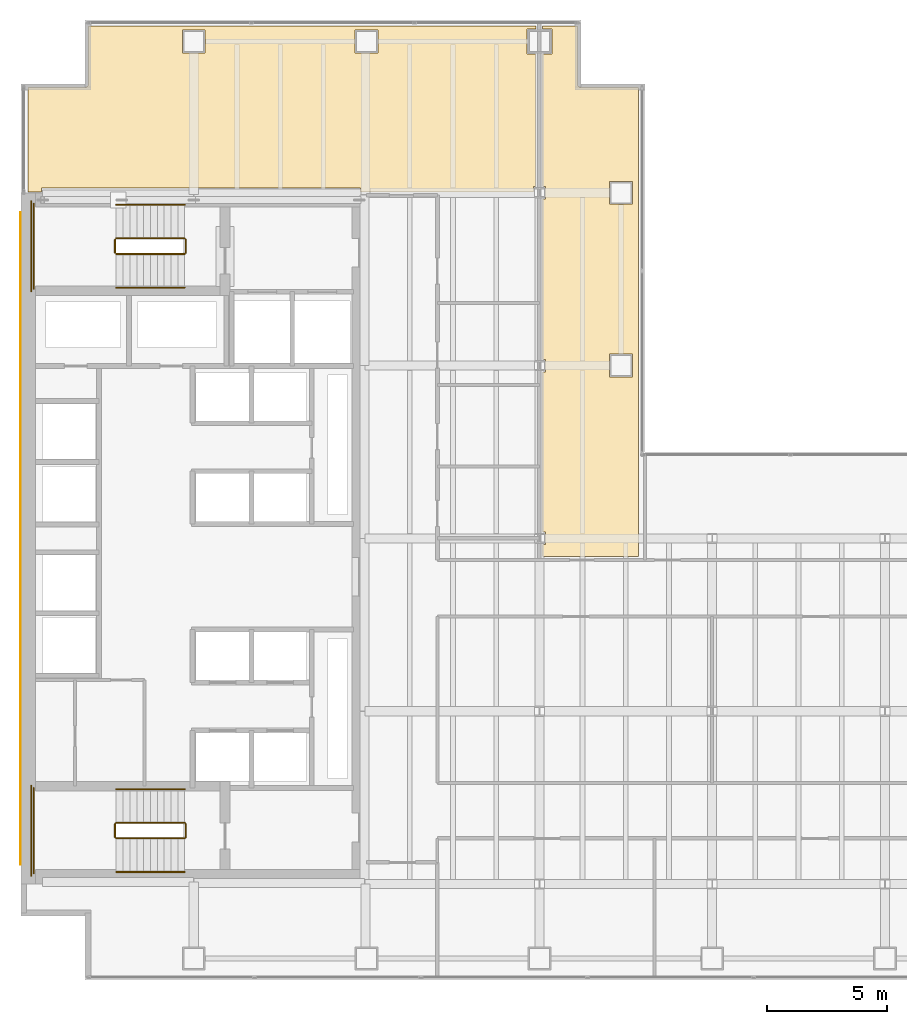
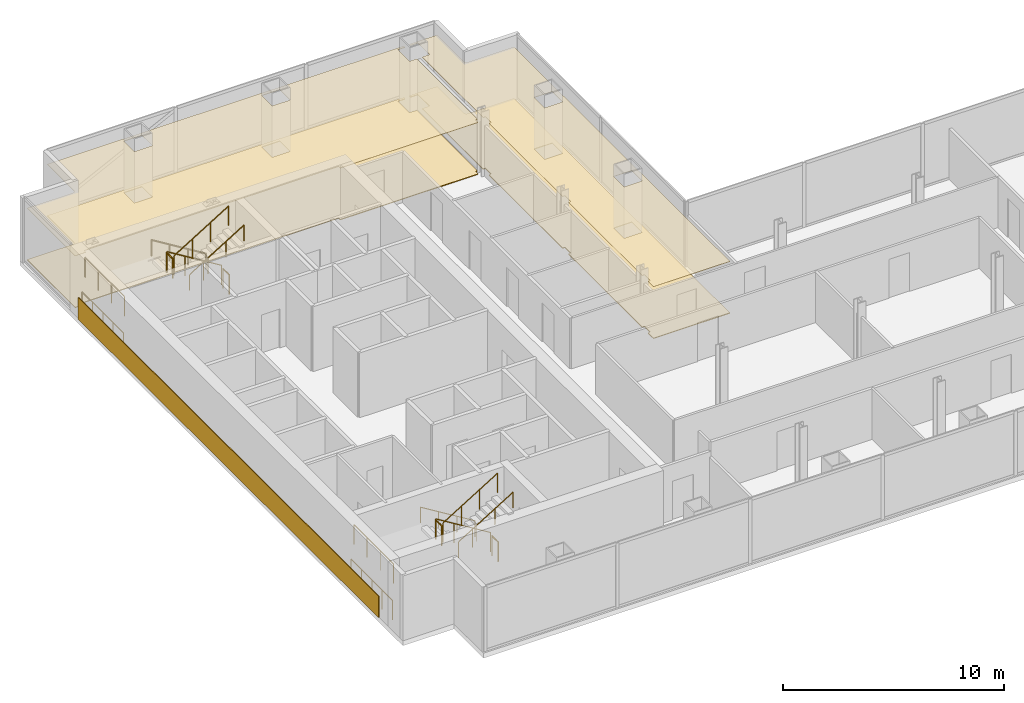
# One storey, part 23 of 23: 16 railings, 5 coverings.
"""IFC4 building model written with IfcOpenShell, lengths in metres."""

import ifcopenshell
import ifcopenshell.guid

model = None  # the IFC model being written
_history = None  # IfcOwnerHistory: only IFC2X3 demands one
_inside = {}  # id of a spatial element -> (the spatial element, [elements in it])
_under = {}  # id of a project, library or spatial element -> (it, [spatial elements below it])
_declared = {}  # id of a project -> (the project, [libraries it declares])
_typed = {}  # id of a type object -> (the type object, [elements of that type])
_made_of = {}  # id of a material, layer set ... -> (it, [elements and type objects made of it])


def new_model(schema):
    """Start an empty IFC model of exactly this schema.

    Asked for "IFC4X3", IfcOpenShell would pick the latest addendum, in which some entities
    have other attributes; the version numbers below select the first issue.
    IFC2X3 requires an IfcOwnerHistory on every rooted entity: one is made here for all.
    """
    global model, _history
    if schema == "IFC4X3":
        model = ifcopenshell.file(schema_version=(4, 3, 0, 0))
    else:
        model = ifcopenshell.file(schema=schema)
    _inside.clear()
    _under.clear()
    _declared.clear()
    _typed.clear()
    _made_of.clear()
    _history = None
    if model.schema == "IFC2X3":
        org = make("IfcOrganization", Name="unknown")
        user = make(
            "IfcPersonAndOrganization",
            ThePerson=make("IfcPerson", FamilyName="unknown"),
            TheOrganization=org,
        )
        app = make(
            "IfcApplication",
            ApplicationDeveloper=org,
            Version="unknown",
            ApplicationFullName="unknown",
            ApplicationIdentifier="unknown",
        )
        _history = make(
            "IfcOwnerHistory",
            OwningUser=user,
            OwningApplication=app,
            ChangeAction="ADDED",
            CreationDate=0,
        )
    return model


def make(cls, **values):
    """One entity of the class cls with the attributes given. An attribute that is None is left unset."""
    return model.create_entity(
        cls, **{name: value for name, value in values.items() if value is not None}
    )


def rooted(cls, **values):
    """An entity with a GlobalId (a new one), such as an element, a storey or a relation."""
    return make(cls, GlobalId=ifcopenshell.guid.new(), OwnerHistory=_history, **values)


def si_unit(unit_type, name, prefix=None):
    """IfcSIUnit, for example si_unit("LENGTHUNIT", "METRE", prefix="MILLI")."""
    return make("IfcSIUnit", UnitType=unit_type, Prefix=prefix, Name=name)


def assignment(units):
    """IfcUnitAssignment: the units of a project."""
    return None if units is None else make("IfcUnitAssignment", Units=units)


def point(xyz):
    """IfcCartesianPoint."""
    return None if xyz is None else make("IfcCartesianPoint", Coordinates=xyz)


def direction(xyz):
    """IfcDirection."""
    return None if xyz is None else make("IfcDirection", DirectionRatios=xyz)


def frame(location, z_axis=None, x_axis=None):
    """IfcAxis2Placement3D, a coordinate frame: its origin and axes. An axis left out is left unset."""
    return make(
        "IfcAxis2Placement3D",
        Location=point(location),
        Axis=direction(z_axis),
        RefDirection=direction(x_axis),
    )


def frame_2d(location, x_axis=None):
    """IfcAxis2Placement2D, a coordinate frame in the plane: its origin and x axis."""
    return make(
        "IfcAxis2Placement2D", Location=point(location), RefDirection=direction(x_axis)
    )


def origin():
    """The frame at (0, 0, 0) with its axes left unset."""
    return frame((0.0, 0.0, 0.0))


def origin_2d():
    """The frame at (0, 0) in the plane with its x axis left unset."""
    return frame_2d((0.0, 0.0))


def place(relative_to, where):
    """IfcLocalPlacement: puts the frame where relative to a parent placement (None: the world)."""
    return make(
        "IfcLocalPlacement", PlacementRelTo=relative_to, RelativePlacement=where
    )


def context(
    kind, dimensions, precision=None, world=None, true_north=None, identifier=None
):
    """IfcGeometricRepresentationContext, for example the 3D "Model" context."""
    return make(
        "IfcGeometricRepresentationContext",
        ContextIdentifier=identifier,
        ContextType=kind,
        CoordinateSpaceDimension=dimensions,
        Precision=precision,
        WorldCoordinateSystem=world,
        TrueNorth=true_north,
    )


def subcontext(parent, identifier, kind, view, scale=None):
    """IfcGeometricRepresentationSubContext, for example "Body" below "Model"."""
    return make(
        "IfcGeometricRepresentationSubContext",
        ContextIdentifier=identifier,
        ContextType=kind,
        ParentContext=parent,
        TargetScale=scale,
        TargetView=view,
    )


def project(units=None, contexts=None):
    """IfcProject with its units and contexts."""
    return rooted(
        "IfcProject",
        Name="project",
        RepresentationContexts=contexts,
        UnitsInContext=assignment(units),
    )


def spatial(cls, under=None, at=None, **own):
    """A site, building, storey or space (cls), placed at a placement, below another one or the project."""
    s = rooted(cls, ObjectPlacement=at, **own)
    if under is not None:
        _under.setdefault(under.id(), (under, []))[1].append(s)
    return s


def polyline(points):
    """IfcPolyline through the points."""
    return make("IfcPolyline", Points=[point(p) for p in points])


def profile(cls, at=None, kind="AREA", **sizes):
    """A parametric profile (cls). Its sizes go by their IFC names, for example OverallWidth=200.0."""
    return make(cls, ProfileType=kind, Position=at, **sizes)


def circle(**sizes):
    """IfcCircleProfileDef."""
    return profile("IfcCircleProfileDef", **sizes)


def outline(outer, holes=None, kind="AREA"):
    """IfcArbitraryClosedProfileDef: a profile drawn as a closed curve; with holes, ...WithVoids."""
    if holes is None:
        return make("IfcArbitraryClosedProfileDef", ProfileType=kind, OuterCurve=outer)
    return make(
        "IfcArbitraryProfileDefWithVoids",
        ProfileType=kind,
        OuterCurve=outer,
        InnerCurves=holes,
    )


def extrude(swept, where, along, depth):
    """IfcExtrudedAreaSolid: the profile swept, set in the frame where, extruded along a direction by depth."""
    return make(
        "IfcExtrudedAreaSolid",
        SweptArea=swept,
        Position=where,
        ExtrudedDirection=direction(along),
        Depth=depth,
    )


def shape(context_of_items, identifier, shape_type, items):
    """IfcShapeRepresentation: the items that make up one representation, for example the "Body"."""
    return make(
        "IfcShapeRepresentation",
        ContextOfItems=context_of_items,
        RepresentationIdentifier=identifier,
        RepresentationType=shape_type,
        Items=items,
    )


def material(Name=None, Category=None):
    """IfcMaterial."""
    return make("IfcMaterial", Name=Name, Category=Category)


def layer(
    of_material, thickness, ventilated=None, Name=None, Category=None, Priority=None
):
    """IfcMaterialLayer: one layer of a wall or slab, of a material (None: an air gap)."""
    return make(
        "IfcMaterialLayer",
        Material=of_material,
        LayerThickness=thickness,
        IsVentilated=ventilated,
        Name=Name,
        Category=Category,
        Priority=Priority,
    )


def layer_set(layers, Name=None):
    """IfcMaterialLayerSet."""
    return make("IfcMaterialLayerSet", MaterialLayers=layers, LayerSetName=Name)


def made_of(thing, what):
    """Note that an element or type object is made of a material, layer set ...; save() writes the relation."""
    if what is not None:
        _made_of.setdefault(what.id(), (what, []))[1].append(thing)
    return thing


def type_object(cls, material=None, **own):
    """A type object (cls), such as IfcWallType, which elements share."""
    return made_of(rooted(cls, **own), material)


def element(
    cls,
    number,
    at=None,
    inside=None,
    cuts=None,
    type_object=None,
    material=None,
    context=None,
    identifier="Body",
    shape_type=None,
    held_by="IfcProductDefinitionShape",
    body=None,
    shapes=None,
    **own,
):
    """One element of the class cls, such as IfcWall. Its Tag is "e" and its number.

    at: its placement. inside: the storey or other place that contains it. cuts: it is an
    opening in that element (IfcRelVoidsElement). A single representation is given by context,
    identifier, shape_type and body (its items); several are given by shapes. held_by: the class
    of the entity that holds the representations. save() writes the other relations.
    """
    e = rooted(cls, Tag="e%d" % number, ObjectPlacement=at, **own)
    if body is not None:
        shapes = [shape(context, identifier, shape_type, body)]
    if shapes is not None:
        e.Representation = make(held_by, Representations=shapes)
    if inside is not None:
        _inside.setdefault(inside.id(), (inside, []))[1].append(e)
    if cuts is not None:
        rooted(
            "IfcRelVoidsElement", RelatingBuildingElement=cuts, RelatedOpeningElement=e
        )
    if type_object is not None:
        _typed.setdefault(type_object.id(), (type_object, []))[1].append(e)
    return made_of(e, material)


def aggregate(whole, parts):
    """IfcRelAggregates: a whole, such as a stair, and the parts it consists of."""
    return rooted("IfcRelAggregates", RelatingObject=whole, RelatedObjects=parts)


def save(model, path):
    """Write the relations noted so far, then the file.

    IfcRelAggregates (storeys below a building ...), IfcRelContainedInSpatialStructure (elements
    in a storey), IfcRelDefinesByType, IfcRelAssociatesMaterial and IfcRelDeclares: one each for
    every whole, place, type object, material and project.
    """
    for whole, parts in _under.values():
        aggregate(whole, parts)
    for where, things in _inside.values():
        rooted(
            "IfcRelContainedInSpatialStructure",
            RelatedElements=things,
            RelatingStructure=where,
        )
    for kind, things in _typed.values():
        rooted("IfcRelDefinesByType", RelatedObjects=things, RelatingType=kind)
    for what, things in _made_of.values():
        rooted("IfcRelAssociatesMaterial", RelatedObjects=things, RelatingMaterial=what)
    for by, libraries in _declared.values():
        rooted("IfcRelDeclares", RelatingContext=by, RelatedDefinitions=libraries)
    model.write(path)


model = new_model("IFC4")

# Units and contexts
model_context = context("Model", 3, precision=1e-05, world=origin(), true_north=direction((0.0, 1.0)))
body_context = subcontext(model_context, "Body", "Model", "MODEL_VIEW")
ifc_project = project(units=[si_unit("LENGTHUNIT", "METRE"), si_unit("AREAUNIT", "SQUARE_METRE"), si_unit("VOLUMEUNIT", "CUBIC_METRE"), si_unit("PLANEANGLEUNIT", "RADIAN"), si_unit("MASSUNIT", "GRAM", prefix="KILO")], contexts=[model_context])

# Site, building, storey
site_placement = place(None, origin())
site = spatial("IfcSite", under=ifc_project, at=site_placement, CompositionType="ELEMENT")
building_placement = place(site_placement, origin())
building = spatial("IfcBuilding", under=site, at=building_placement, Name="Cobrela Telecom Tower", CompositionType="ELEMENT")
storey_placement = place(building_placement, frame((0.0, 0.0, 102.199951171875)))
storey = spatial("IfcBuildingStorey", under=building, at=storey_placement, Name="L25", CompositionType="ELEMENT", Elevation=102.199951171875)

# Coverings
ifc_material_1 = material(Name="Mineral Fibre Acoustic Ceiling Tile")
ifc_layer_1 = layer(ifc_material_1, 0.02490234375)
ifc_layer_set_1 = layer_set([ifc_layer_1], Name="Mineral Fibre Acoustic Ceiling Tile")
covering_type_1 = type_object("IfcCoveringType", Name="COV-CEIL-ACT", PredefinedType="CEILING", material=ifc_layer_set_1)
covering_1_placement = place(storey_placement, frame((0.0, 0.0, 2.860107421875)))
element("IfcCovering", 1, at=covering_1_placement, inside=storey, type_object=covering_type_1, Name="L25 Team Coffee Pantry 4 Suspended Acoustic Ceiling", PredefinedType="CEILING", context=body_context, shape_type="SweptSolid", body=[
    extrude(outline(polyline([(21.074951171875, 41.77490234375), (21.4599609375, 41.77490234375), (21.4599609375, 36.261962890625), (21.345458984375, 36.261962890625), (21.345458984375, 36.0400390625), (14.139892578125, 36.0400390625), (14.139892578125, 36.18994140625), (0.860107421875, 36.18994140625), (0.860107421875, 36.0400390625), (0.2900390625, 36.0400390625), (0.2900390625, 40.389892578125), (2.6708984375, 40.389892578125), (2.68359375, 40.390625), (2.697265625, 40.392578125), (2.710693359375, 40.39599609375), (2.7236328125, 40.400634765625), (2.736083984375, 40.406494140625), (2.747802734375, 40.41357421875), (2.7587890625, 40.421630859375), (2.76904296875, 40.430908203125), (2.7783203125, 40.441162109375), (2.786376953125, 40.4521484375), (2.79345703125, 40.464111328125), (2.79931640625, 40.476318359375), (2.803955078125, 40.489501953125), (2.807373046875, 40.502685546875), (2.809326171875, 40.516357421875), (2.81005859375, 40.529052734375), (2.81005859375, 42.93994140625), (21.4599609375, 42.93994140625), (21.4599609375, 42.824951171875), (21.074951171875, 42.824951171875), (21.074951171875, 41.77490234375)]), holes=[polyline([(7.675048828125, 41.824951171875), (7.675048828125, 42.77490234375), (6.72509765625, 42.77490234375), (6.72509765625, 41.824951171875), (7.675048828125, 41.824951171875)]), polyline([(14.875, 41.824951171875), (14.875, 42.77490234375), (13.925048828125, 42.77490234375), (13.925048828125, 41.824951171875), (14.875, 41.824951171875)])]), origin(), (0.0, 0.0, 1.0), 0.02490234375),
])
covering_2_placement = place(storey_placement, frame((0.0, 0.0, 2.860107421875)))
element("IfcCovering", 2, at=covering_2_placement, inside=storey, type_object=covering_type_1, Name="L25 Engineering Conference Room 3 Suspended Acoustic Ceiling", PredefinedType="CEILING", context=body_context, shape_type="SweptSolid", body=[
    extrude(outline(polyline([(21.8544921875, 21.337890625), (21.8544921875, 21.862060546875), (21.739990234375, 21.862060546875), (21.739990234375, 28.5380859375), (21.8544921875, 28.5380859375), (21.8544921875, 29.06201171875), (21.739990234375, 29.06201171875), (21.739990234375, 35.738037109375), (21.8544921875, 35.738037109375), (21.8544921875, 36.261962890625), (21.739990234375, 36.261962890625), (21.739990234375, 41.77490234375), (22.125, 41.77490234375), (22.125, 42.824951171875), (21.739990234375, 42.824951171875), (21.739990234375, 42.93994140625), (23.18994140625, 42.93994140625), (23.18994140625, 40.529052734375), (23.190673828125, 40.516357421875), (23.192626953125, 40.502685546875), (23.196044921875, 40.489501953125), (23.20068359375, 40.476318359375), (23.20654296875, 40.464111328125), (23.213623046875, 40.4521484375), (23.2216796875, 40.441162109375), (23.23095703125, 40.430908203125), (23.2412109375, 40.421630859375), (23.252197265625, 40.41357421875), (23.263916015625, 40.406494140625), (23.2763671875, 40.400634765625), (23.289306640625, 40.39599609375), (23.302734375, 40.392578125), (23.31640625, 40.390625), (23.3291015625, 40.389892578125), (25.739990234375, 40.389892578125), (25.739990234375, 20.840087890625), (21.739990234375, 20.840087890625), (21.739990234375, 21.337890625), (21.8544921875, 21.337890625)]), holes=[polyline([(25.47509765625, 28.324951171875), (25.47509765625, 29.27490234375), (24.52490234375, 29.27490234375), (24.52490234375, 28.324951171875), (25.47509765625, 28.324951171875)]), polyline([(25.47509765625, 35.52490234375), (25.47509765625, 36.47509765625), (24.52490234375, 36.47509765625), (24.52490234375, 35.52490234375), (25.47509765625, 35.52490234375)])]), origin(), (0.0, 0.0, 1.0), 0.02490234375),
])
ifc_material_2 = material(Name="Bogota Terracotta Architectural Stone", Category="masonry")
ifc_layer_2 = layer(ifc_material_2, 0.0400390625)
ifc_layer_set_2 = layer_set([ifc_layer_2], Name="Bogota Terracotta Architectural Stone")
covering_type_2 = type_object("IfcCoveringType", Name="COV-CLAD-TERRA", PredefinedType="CLADDING", material=ifc_layer_set_2)
covering_3_placement = place(storey_placement, origin())
element("IfcCovering", 3, at=covering_3_placement, inside=storey, type_object=covering_type_2, Name="L25 West Core Terracotta Spandrel Cladding Band", PredefinedType="CLADDING", context=body_context, shape_type="SweptSolid", body=[
    extrude(outline(polyline([(-0.0400390625, 8.0), (0.0, 8.0), (0.0, 35.199951171875), (-0.0400390625, 35.199951171875), (-0.0400390625, 8.0)])), origin(), (0.0, 0.0, 1.0), 1.199951171875),
])
ifc_material_3 = material(Name="Honed Colombian Basalt Stone", Category="masonry")
ifc_layer_3 = layer(ifc_material_3, 0.0400390625)
ifc_layer_set_3 = layer_set([ifc_layer_3], Name="Honed Colombian Basalt Stone")
covering_type_3 = type_object("IfcCoveringType", Name="COV-FLR-STONE", PredefinedType="FLOORING", material=ifc_layer_set_3)
covering_4_placement = place(storey_placement, origin())
element("IfcCovering", 4, at=covering_4_placement, inside=storey, type_object=covering_type_3, Name="L25 Team Coffee Pantry 4 Raised Technical Flooring", PredefinedType="FLOORING", context=body_context, shape_type="SweptSolid", body=[
    extrude(outline(polyline([(21.074951171875, 41.77490234375), (21.4599609375, 41.77490234375), (21.4599609375, 36.261962890625), (21.345458984375, 36.261962890625), (21.345458984375, 36.0400390625), (14.139892578125, 36.0400390625), (14.139892578125, 36.18994140625), (0.860107421875, 36.18994140625), (0.860107421875, 36.0400390625), (0.2900390625, 36.0400390625), (0.2900390625, 40.389892578125), (2.6708984375, 40.389892578125), (2.68359375, 40.390625), (2.697265625, 40.392578125), (2.710693359375, 40.39599609375), (2.7236328125, 40.400634765625), (2.736083984375, 40.406494140625), (2.747802734375, 40.41357421875), (2.7587890625, 40.421630859375), (2.76904296875, 40.430908203125), (2.7783203125, 40.441162109375), (2.786376953125, 40.4521484375), (2.79345703125, 40.464111328125), (2.79931640625, 40.476318359375), (2.803955078125, 40.489501953125), (2.807373046875, 40.502685546875), (2.809326171875, 40.516357421875), (2.81005859375, 40.529052734375), (2.81005859375, 42.93994140625), (21.4599609375, 42.93994140625), (21.4599609375, 42.824951171875), (21.074951171875, 42.824951171875), (21.074951171875, 41.77490234375)]), holes=[polyline([(7.675048828125, 41.824951171875), (7.675048828125, 42.77490234375), (6.72509765625, 42.77490234375), (6.72509765625, 41.824951171875), (7.675048828125, 41.824951171875)]), polyline([(14.875, 41.824951171875), (14.875, 42.77490234375), (13.925048828125, 42.77490234375), (13.925048828125, 41.824951171875), (14.875, 41.824951171875)])]), origin(), (0.0, 0.0, 1.0), 0.0400390625),
])
covering_5_placement = place(storey_placement, origin())
element("IfcCovering", 5, at=covering_5_placement, inside=storey, type_object=covering_type_3, Name="L25 Engineering Conference Room 3 Raised Technical Flooring", PredefinedType="FLOORING", context=body_context, shape_type="SweptSolid", body=[
    extrude(outline(polyline([(21.8544921875, 21.337890625), (21.8544921875, 21.862060546875), (21.739990234375, 21.862060546875), (21.739990234375, 28.5380859375), (21.8544921875, 28.5380859375), (21.8544921875, 29.06201171875), (21.739990234375, 29.06201171875), (21.739990234375, 35.738037109375), (21.8544921875, 35.738037109375), (21.8544921875, 36.261962890625), (21.739990234375, 36.261962890625), (21.739990234375, 41.77490234375), (22.125, 41.77490234375), (22.125, 42.824951171875), (21.739990234375, 42.824951171875), (21.739990234375, 42.93994140625), (23.18994140625, 42.93994140625), (23.18994140625, 40.529052734375), (23.190673828125, 40.516357421875), (23.192626953125, 40.502685546875), (23.196044921875, 40.489501953125), (23.20068359375, 40.476318359375), (23.20654296875, 40.464111328125), (23.213623046875, 40.4521484375), (23.2216796875, 40.441162109375), (23.23095703125, 40.430908203125), (23.2412109375, 40.421630859375), (23.252197265625, 40.41357421875), (23.263916015625, 40.406494140625), (23.2763671875, 40.400634765625), (23.289306640625, 40.39599609375), (23.302734375, 40.392578125), (23.31640625, 40.390625), (23.3291015625, 40.389892578125), (25.739990234375, 40.389892578125), (25.739990234375, 20.840087890625), (21.739990234375, 20.840087890625), (21.739990234375, 21.337890625), (21.8544921875, 21.337890625)]), holes=[polyline([(25.47509765625, 28.324951171875), (25.47509765625, 29.27490234375), (24.52490234375, 29.27490234375), (24.52490234375, 28.324951171875), (25.47509765625, 28.324951171875)]), polyline([(25.47509765625, 35.52490234375), (25.47509765625, 36.47509765625), (24.52490234375, 36.47509765625), (24.52490234375, 35.52490234375), (25.47509765625, 35.52490234375)])]), origin(), (0.0, 0.0, 1.0), 0.0400390625),
])

# Railings
ifc_material_4 = material(Name="Steel ASTM A36", Category="steel")
railing_type_1 = type_object("IfcRailingType", Name="RAIL-GUARD-1100", PredefinedType="GUARDRAIL", material=ifc_material_4)
railing_1_placement = place(storey_placement, frame((6.820068359375, 34.10009765625, 0.175048828125)))
element("IfcRailing", 6, at=railing_1_placement, inside=storey, type_object=railing_type_1, Name="L25 ST1 stair guard 1", PredefinedType="GUARDRAIL", context=body_context, shape_type="SweptSolid", body=[
    extrude(circle(Radius=0.02392578125, at=origin_2d()), frame((0.0, 0.0, 1.076171875), z_axis=(-0.852179220489, 0.0, 0.52325001306), x_axis=(0.0, -1.0, 0.0)), (0.0, 0.0, 1.0), 3.344482421875),
    extrude(circle(Radius=0.02099609375, at=origin_2d()), origin(), (0.0, 0.0, 1.0), 1.052001953125),
    extrude(circle(Radius=0.02099609375, at=origin_2d()), frame((-0.949951171875, 0.0, 0.583251953125)), (0.0, 0.0, 1.0), 1.052001953125),
    extrude(circle(Radius=0.02099609375, at=origin_2d()), frame((-1.900146484375, 0.0, 1.166748046875)), (0.0, 0.0, 1.0), 1.052001953125),
    extrude(circle(Radius=0.02099609375, at=origin_2d()), frame((-2.85009765625, 0.0, 1.75)), (0.0, 0.0, 1.0), 1.052001953125),
])
railing_2_placement = place(storey_placement, frame((3.919921875, 34.050048828125, 1.925048828125)))
element("IfcRailing", 7, at=railing_2_placement, inside=storey, type_object=railing_type_1, Name="L25 ST1 stair guard 2", PredefinedType="GUARDRAIL", context=body_context, shape_type="SweptSolid", body=[
    extrude(circle(Radius=0.02392578125, at=origin_2d()), frame((0.0, 0.0, 1.076171875), z_axis=(0.0, -1.0, 0.0), x_axis=(1.0, 0.0, 0.0)), (0.0, 0.0, 1.0), 0.550048828125),
    extrude(circle(Radius=0.02099609375, at=origin_2d()), origin(), (0.0, 0.0, 1.0), 1.052001953125),
    extrude(circle(Radius=0.02099609375, at=origin_2d()), frame((0.0, -0.550048828125, 0.0)), (0.0, 0.0, 1.0), 1.052001953125),
])
railing_3_placement = place(storey_placement, frame((0.530029296875, 35.550048828125, 1.925048828125)))
element("IfcRailing", 8, at=railing_3_placement, inside=storey, type_object=railing_type_1, Name="L25 ST1 stair guard 3", PredefinedType="GUARDRAIL", context=body_context, shape_type="SweptSolid", body=[
    extrude(circle(Radius=0.02392578125, at=origin_2d()), frame((0.0, 0.0, 1.076171875), z_axis=(0.0, -1.0, 0.0), x_axis=(1.0, 0.0, 0.0)), (0.0, 0.0, 1.0), 3.550048828125),
    extrude(circle(Radius=0.02099609375, at=origin_2d()), origin(), (0.0, 0.0, 1.0), 1.052001953125),
    extrude(circle(Radius=0.02099609375, at=origin_2d()), frame((0.0, -1.183349609375, 0.0)), (0.0, 0.0, 1.0), 1.052001953125),
    extrude(circle(Radius=0.02099609375, at=origin_2d()), frame((0.0, -2.36669921875, 0.0)), (0.0, 0.0, 1.0), 1.052001953125),
    extrude(circle(Radius=0.02099609375, at=origin_2d()), frame((0.0, -3.550048828125, 0.0)), (0.0, 0.0, 1.0), 1.052001953125),
])
railing_4_placement = place(storey_placement, frame((3.969970703125, 33.449951171875, 2.10009765625)))
element("IfcRailing", 9, at=railing_4_placement, inside=storey, type_object=railing_type_1, Name="L25 ST1 stair guard 4", PredefinedType="GUARDRAIL", context=body_context, shape_type="SweptSolid", body=[
    extrude(circle(Radius=0.02392578125, at=origin_2d()), frame((0.0, 0.0, 1.076171875), z_axis=(0.852179220489, 0.0, 0.52325001306), x_axis=(0.0, 1.0, 0.0)), (0.0, 0.0, 1.0), 3.344482421875),
    extrude(circle(Radius=0.02099609375, at=origin_2d()), origin(), (0.0, 0.0, 1.0), 1.052001953125),
    extrude(circle(Radius=0.02099609375, at=origin_2d()), frame((0.949951171875, 0.0, 0.583251953125)), (0.0, 0.0, 1.0), 1.052001953125),
    extrude(circle(Radius=0.02099609375, at=origin_2d()), frame((1.900146484375, 0.0, 1.166748046875)), (0.0, 0.0, 1.0), 1.052001953125),
    extrude(circle(Radius=0.02099609375, at=origin_2d()), frame((2.85009765625, 0.0, 1.75)), (0.0, 0.0, 1.0), 1.052001953125),
])
railing_5_placement = place(storey_placement, frame((6.8701171875, 34.050048828125, 0.0)))
element("IfcRailing", 10, at=railing_5_placement, inside=storey, type_object=railing_type_1, Name="L25 ST1 stair guard 5", PredefinedType="GUARDRAIL", context=body_context, shape_type="SweptSolid", body=[
    extrude(circle(Radius=0.02392578125, at=origin_2d()), frame((0.0, 0.0, 1.076171875), z_axis=(0.0, -1.0, 0.0), x_axis=(1.0, 0.0, 0.0)), (0.0, 0.0, 1.0), 0.550048828125),
    extrude(circle(Radius=0.02099609375, at=origin_2d()), origin(), (0.0, 0.0, 1.0), 1.052001953125),
    extrude(circle(Radius=0.02099609375, at=origin_2d()), frame((0.0, -0.550048828125, 0.0)), (0.0, 0.0, 1.0), 1.052001953125),
])
railing_6_placement = place(storey_placement, frame((0.429931640625, 35.64990234375, 0.0)))
element("IfcRailing", 11, at=railing_6_placement, inside=storey, type_object=railing_type_1, Name="L25 ST1 stair guard 6", PredefinedType="GUARDRAIL", context=body_context, shape_type="SweptSolid", body=[
    extrude(circle(Radius=0.02392578125, at=origin_2d()), frame((0.0, 0.0, 1.076171875), z_axis=(0.0, -1.0, 0.0), x_axis=(1.0, 0.0, 0.0)), (0.0, 0.0, 1.0), 3.75),
    extrude(circle(Radius=0.02099609375, at=origin_2d()), origin(), (0.0, 0.0, 1.0), 1.052001953125),
    extrude(circle(Radius=0.02099609375, at=origin_2d()), frame((0.0, -0.9375, 0.0)), (0.0, 0.0, 1.0), 1.052001953125),
    extrude(circle(Radius=0.02099609375, at=origin_2d()), frame((0.0, -1.875, 0.0)), (0.0, 0.0, 1.0), 1.052001953125),
    extrude(circle(Radius=0.02099609375, at=origin_2d()), frame((0.0, -2.8125, 0.0)), (0.0, 0.0, 1.0), 1.052001953125),
    extrude(circle(Radius=0.02099609375, at=origin_2d()), frame((0.0, -3.75, 0.0)), (0.0, 0.0, 1.0), 1.052001953125),
])
railing_7_placement = place(storey_placement, frame((6.820068359375, 9.75, 0.175048828125)))
element("IfcRailing", 12, at=railing_7_placement, inside=storey, type_object=railing_type_1, Name="L25 ST2 stair guard 1", PredefinedType="GUARDRAIL", context=body_context, shape_type="SweptSolid", body=[
    extrude(circle(Radius=0.02392578125, at=origin_2d()), frame((0.0, 0.0, 1.076171875), z_axis=(-0.852179220489, 0.0, 0.52325001306), x_axis=(0.0, -1.0, 0.0)), (0.0, 0.0, 1.0), 3.344482421875),
    extrude(circle(Radius=0.02099609375, at=origin_2d()), origin(), (0.0, 0.0, 1.0), 1.052001953125),
    extrude(circle(Radius=0.02099609375, at=origin_2d()), frame((-0.949951171875, 0.0, 0.583251953125)), (0.0, 0.0, 1.0), 1.052001953125),
    extrude(circle(Radius=0.02099609375, at=origin_2d()), frame((-1.900146484375, 0.0, 1.166748046875)), (0.0, 0.0, 1.0), 1.052001953125),
    extrude(circle(Radius=0.02099609375, at=origin_2d()), frame((-2.85009765625, 0.0, 1.75)), (0.0, 0.0, 1.0), 1.052001953125),
])
railing_8_placement = place(storey_placement, frame((3.919921875, 9.699951171875, 1.925048828125)))
element("IfcRailing", 13, at=railing_8_placement, inside=storey, type_object=railing_type_1, Name="L25 ST2 stair guard 2", PredefinedType="GUARDRAIL", context=body_context, shape_type="SweptSolid", body=[
    extrude(circle(Radius=0.02392578125, at=origin_2d()), frame((0.0, 0.0, 1.076171875), z_axis=(0.0, -1.0, 0.0), x_axis=(1.0, 0.0, 0.0)), (0.0, 0.0, 1.0), 0.550048828125),
    extrude(circle(Radius=0.02099609375, at=origin_2d()), origin(), (0.0, 0.0, 1.0), 1.052001953125),
    extrude(circle(Radius=0.02099609375, at=origin_2d()), frame((0.0, -0.550048828125, 0.0)), (0.0, 0.0, 1.0), 1.052001953125),
])
railing_9_placement = place(storey_placement, frame((0.530029296875, 11.199951171875, 1.925048828125)))
element("IfcRailing", 14, at=railing_9_placement, inside=storey, type_object=railing_type_1, Name="L25 ST2 stair guard 3", PredefinedType="GUARDRAIL", context=body_context, shape_type="SweptSolid", body=[
    extrude(circle(Radius=0.02392578125, at=origin_2d()), frame((0.0, 0.0, 1.076171875), z_axis=(0.0, -1.0, 0.0), x_axis=(1.0, 0.0, 0.0)), (0.0, 0.0, 1.0), 3.550048828125),
    extrude(circle(Radius=0.02099609375, at=origin_2d()), origin(), (0.0, 0.0, 1.0), 1.052001953125),
    extrude(circle(Radius=0.02099609375, at=origin_2d()), frame((0.0, -1.183349609375, 0.0)), (0.0, 0.0, 1.0), 1.052001953125),
    extrude(circle(Radius=0.02099609375, at=origin_2d()), frame((0.0, -2.36669921875, 0.0)), (0.0, 0.0, 1.0), 1.052001953125),
    extrude(circle(Radius=0.02099609375, at=origin_2d()), frame((0.0, -3.550048828125, 0.0)), (0.0, 0.0, 1.0), 1.052001953125),
])
railing_10_placement = place(storey_placement, frame((3.969970703125, 9.10009765625, 2.10009765625)))
element("IfcRailing", 15, at=railing_10_placement, inside=storey, type_object=railing_type_1, Name="L25 ST2 stair guard 4", PredefinedType="GUARDRAIL", context=body_context, shape_type="SweptSolid", body=[
    extrude(circle(Radius=0.02392578125, at=origin_2d()), frame((0.0, 0.0, 1.076171875), z_axis=(0.852179220489, 0.0, 0.52325001306), x_axis=(0.0, 1.0, 0.0)), (0.0, 0.0, 1.0), 3.344482421875),
    extrude(circle(Radius=0.02099609375, at=origin_2d()), origin(), (0.0, 0.0, 1.0), 1.052001953125),
    extrude(circle(Radius=0.02099609375, at=origin_2d()), frame((0.949951171875, 0.0, 0.583251953125)), (0.0, 0.0, 1.0), 1.052001953125),
    extrude(circle(Radius=0.02099609375, at=origin_2d()), frame((1.900146484375, 0.0, 1.166748046875)), (0.0, 0.0, 1.0), 1.052001953125),
    extrude(circle(Radius=0.02099609375, at=origin_2d()), frame((2.85009765625, 0.0, 1.75)), (0.0, 0.0, 1.0), 1.052001953125),
])
railing_11_placement = place(storey_placement, frame((6.8701171875, 9.699951171875, 0.0)))
element("IfcRailing", 16, at=railing_11_placement, inside=storey, type_object=railing_type_1, Name="L25 ST2 stair guard 5", PredefinedType="GUARDRAIL", context=body_context, shape_type="SweptSolid", body=[
    extrude(circle(Radius=0.02392578125, at=origin_2d()), frame((0.0, 0.0, 1.076171875), z_axis=(0.0, -1.0, 0.0), x_axis=(1.0, 0.0, 0.0)), (0.0, 0.0, 1.0), 0.550048828125),
    extrude(circle(Radius=0.02099609375, at=origin_2d()), origin(), (0.0, 0.0, 1.0), 1.052001953125),
    extrude(circle(Radius=0.02099609375, at=origin_2d()), frame((0.0, -0.550048828125, 0.0)), (0.0, 0.0, 1.0), 1.052001953125),
])
railing_12_placement = place(storey_placement, frame((0.429931640625, 11.300048828125, 0.0)))
element("IfcRailing", 17, at=railing_12_placement, inside=storey, type_object=railing_type_1, Name="L25 ST2 stair guard 6", PredefinedType="GUARDRAIL", context=body_context, shape_type="SweptSolid", body=[
    extrude(circle(Radius=0.02392578125, at=origin_2d()), frame((0.0, 0.0, 1.076171875), z_axis=(0.0, -1.0, 0.0), x_axis=(1.0, 0.0, 0.0)), (0.0, 0.0, 1.0), 3.75),
    extrude(circle(Radius=0.02099609375, at=origin_2d()), origin(), (0.0, 0.0, 1.0), 1.052001953125),
    extrude(circle(Radius=0.02099609375, at=origin_2d()), frame((0.0, -0.9375, 0.0)), (0.0, 0.0, 1.0), 1.052001953125),
    extrude(circle(Radius=0.02099609375, at=origin_2d()), frame((0.0, -1.875, 0.0)), (0.0, 0.0, 1.0), 1.052001953125),
    extrude(circle(Radius=0.02099609375, at=origin_2d()), frame((0.0, -2.8125, 0.0)), (0.0, 0.0, 1.0), 1.052001953125),
    extrude(circle(Radius=0.02099609375, at=origin_2d()), frame((0.0, -3.75, 0.0)), (0.0, 0.0, 1.0), 1.052001953125),
])
railing_type_2 = type_object("IfcRailingType", Name="RAIL-HAND-920", PredefinedType="HANDRAIL", material=ifc_material_4)
railing_13_placement = place(storey_placement, frame((6.820068359375, 35.5, 0.175048828125)))
element("IfcRailing", 18, at=railing_13_placement, inside=storey, type_object=railing_type_2, Name="L25 ST1 stair handrail 1", PredefinedType="HANDRAIL", context=body_context, shape_type="SweptSolid", body=[
    extrude(circle(Radius=0.02392578125, at=origin_2d()), frame((0.0, 0.0, 0.8759765625), z_axis=(-0.852179220489, 0.0, 0.52325001306), x_axis=(0.0, -1.0, 0.0)), (0.0, 0.0, 1.0), 3.344482421875),
    extrude(circle(Radius=0.02099609375, at=origin_2d()), origin(), (0.0, 0.0, 1.0), 0.851806640625),
    extrude(circle(Radius=0.02099609375, at=origin_2d()), frame((-0.949951171875, 0.0, 0.583251953125)), (0.0, 0.0, 1.0), 0.851806640625),
    extrude(circle(Radius=0.02099609375, at=origin_2d()), frame((-1.900146484375, 0.0, 1.166748046875)), (0.0, 0.0, 1.0), 0.851806640625),
    extrude(circle(Radius=0.02099609375, at=origin_2d()), frame((-2.85009765625, 0.0, 1.75)), (0.0, 0.0, 1.0), 0.851806640625),
])
railing_14_placement = place(storey_placement, frame((3.969970703125, 32.050048828125, 2.10009765625)))
element("IfcRailing", 19, at=railing_14_placement, inside=storey, type_object=railing_type_2, Name="L25 ST1 stair handrail 2", PredefinedType="HANDRAIL", context=body_context, shape_type="SweptSolid", body=[
    extrude(circle(Radius=0.02392578125, at=origin_2d()), frame((0.0, 0.0, 0.8759765625), z_axis=(0.852179220489, 0.0, 0.52325001306), x_axis=(0.0, 1.0, 0.0)), (0.0, 0.0, 1.0), 3.344482421875),
    extrude(circle(Radius=0.02099609375, at=origin_2d()), origin(), (0.0, 0.0, 1.0), 0.851806640625),
    extrude(circle(Radius=0.02099609375, at=origin_2d()), frame((0.949951171875, 0.0, 0.583251953125)), (0.0, 0.0, 1.0), 0.851806640625),
    extrude(circle(Radius=0.02099609375, at=origin_2d()), frame((1.900146484375, 0.0, 1.166748046875)), (0.0, 0.0, 1.0), 0.851806640625),
    extrude(circle(Radius=0.02099609375, at=origin_2d()), frame((2.85009765625, 0.0, 1.75)), (0.0, 0.0, 1.0), 0.851806640625),
])
railing_15_placement = place(storey_placement, frame((6.820068359375, 11.14990234375, 0.175048828125)))
element("IfcRailing", 20, at=railing_15_placement, inside=storey, type_object=railing_type_2, Name="L25 ST2 stair handrail 1", PredefinedType="HANDRAIL", context=body_context, shape_type="SweptSolid", body=[
    extrude(circle(Radius=0.02392578125, at=origin_2d()), frame((0.0, 0.0, 0.8759765625), z_axis=(-0.852179220489, 0.0, 0.52325001306), x_axis=(0.0, -1.0, 0.0)), (0.0, 0.0, 1.0), 3.344482421875),
    extrude(circle(Radius=0.02099609375, at=origin_2d()), origin(), (0.0, 0.0, 1.0), 0.851806640625),
    extrude(circle(Radius=0.02099609375, at=origin_2d()), frame((-0.949951171875, 0.0, 0.583251953125)), (0.0, 0.0, 1.0), 0.851806640625),
    extrude(circle(Radius=0.02099609375, at=origin_2d()), frame((-1.900146484375, 0.0, 1.166748046875)), (0.0, 0.0, 1.0), 0.851806640625),
    extrude(circle(Radius=0.02099609375, at=origin_2d()), frame((-2.85009765625, 0.0, 1.75)), (0.0, 0.0, 1.0), 0.851806640625),
])
railing_16_placement = place(storey_placement, frame((3.969970703125, 7.699951171875, 2.10009765625)))
element("IfcRailing", 21, at=railing_16_placement, inside=storey, type_object=railing_type_2, Name="L25 ST2 stair handrail 2", PredefinedType="HANDRAIL", context=body_context, shape_type="SweptSolid", body=[
    extrude(circle(Radius=0.02392578125, at=origin_2d()), frame((0.0, 0.0, 0.8759765625), z_axis=(0.852179220489, 0.0, 0.52325001306), x_axis=(0.0, 1.0, 0.0)), (0.0, 0.0, 1.0), 3.344482421875),
    extrude(circle(Radius=0.02099609375, at=origin_2d()), origin(), (0.0, 0.0, 1.0), 0.851806640625),
    extrude(circle(Radius=0.02099609375, at=origin_2d()), frame((0.949951171875, 0.0, 0.583251953125)), (0.0, 0.0, 1.0), 0.851806640625),
    extrude(circle(Radius=0.02099609375, at=origin_2d()), frame((1.900146484375, 0.0, 1.166748046875)), (0.0, 0.0, 1.0), 0.851806640625),
    extrude(circle(Radius=0.02099609375, at=origin_2d()), frame((2.85009765625, 0.0, 1.75)), (0.0, 0.0, 1.0), 0.851806640625),
])

save(model, "model.ifc")
